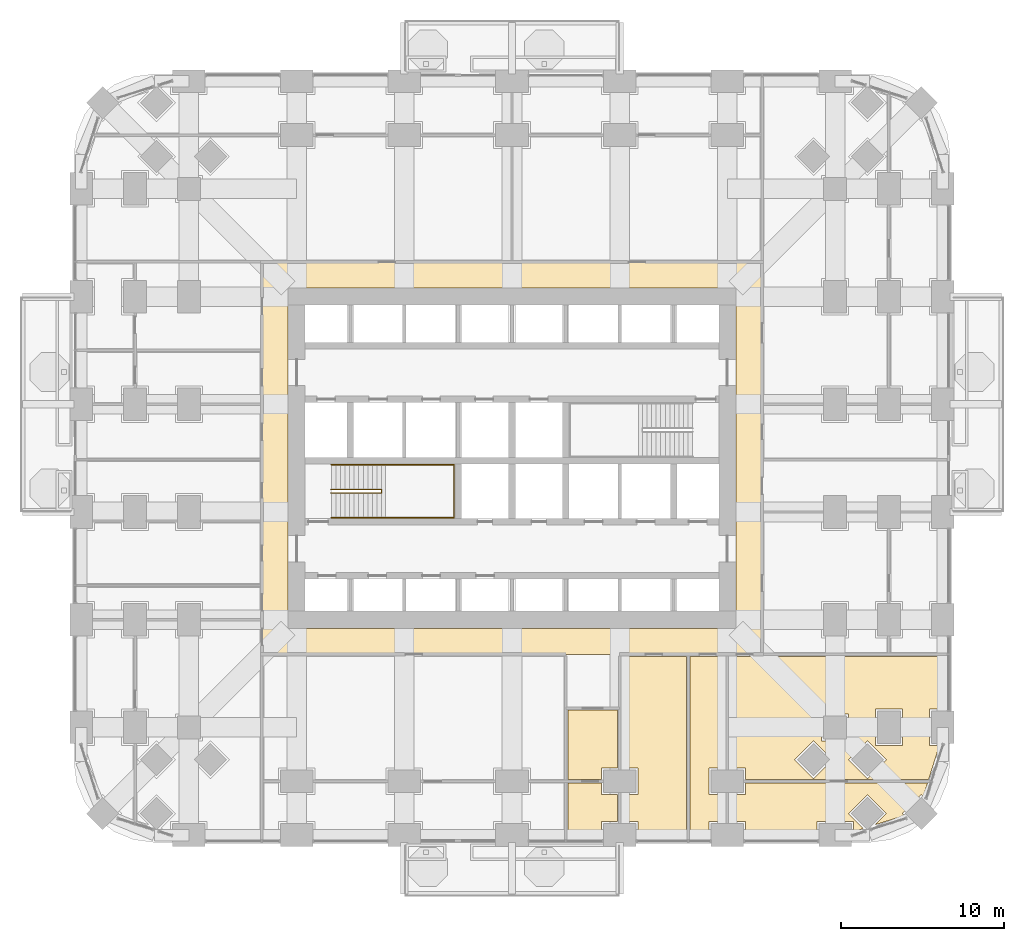
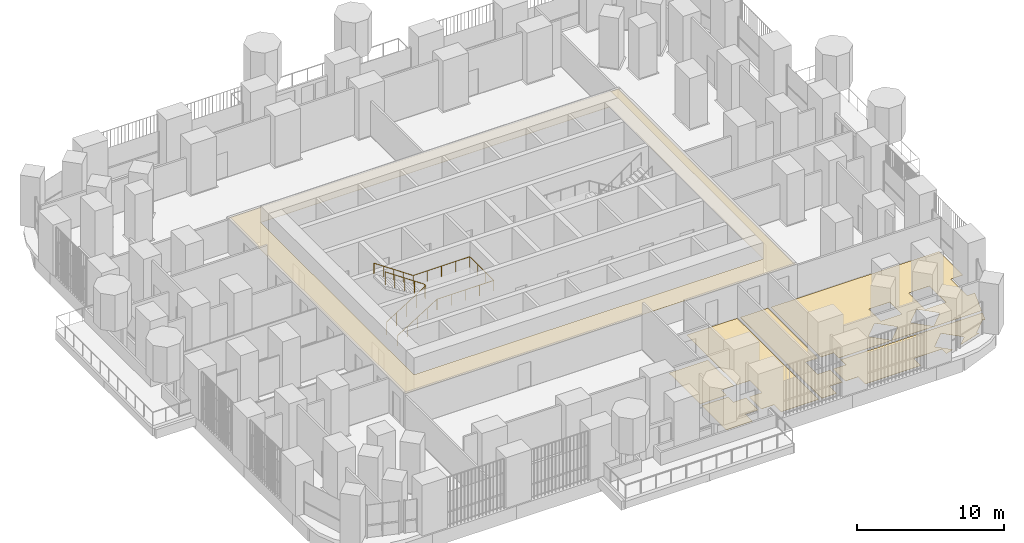
# One storey, part 21 of 24: 7 coverings, 2 railings.
"""IFC4 building model written with IfcOpenShell, lengths in metres."""

from ifc_helpers import new_model, si_unit, direction, frame, origin, place, context, subcontext, project, spatial, polyline, outline, extrude, material, layer, layer_set, type_object, element, save


model = new_model("IFC4")

# Units and contexts
model_context = context("Model", 3, precision=1e-05, world=origin(), true_north=direction((0.0, 1.0)))
body_context = subcontext(model_context, "Body", "Model", "MODEL_VIEW")
ifc_project = project(units=[si_unit("LENGTHUNIT", "METRE"), si_unit("AREAUNIT", "SQUARE_METRE"), si_unit("VOLUMEUNIT", "CUBIC_METRE"), si_unit("PLANEANGLEUNIT", "RADIAN"), si_unit("MASSUNIT", "GRAM", prefix="KILO")], contexts=[model_context])

# Site, building, storey
site_placement = place(None, origin())
site = spatial("IfcSite", under=ifc_project, at=site_placement, CompositionType="ELEMENT")
building_placement = place(site_placement, origin())
building = spatial("IfcBuilding", under=site, at=building_placement, Name="Cobogo Forest Laboratory Tower", CompositionType="ELEMENT")
storey_placement = place(building_placement, frame((0.0, 0.0, 17.10009765625)))
storey = spatial("IfcBuildingStorey", under=building, at=storey_placement, Name="L03", CompositionType="ELEMENT", Elevation=17.10009765625)

# Coverings
ifc_material_1 = material(Name="Mineral fibre ceiling tile", Category="ceiling")
ifc_layer_1 = layer(ifc_material_1, 0.02001953125)
ifc_layer_set_1 = layer_set([ifc_layer_1], Name="CL1 suspended ceiling")
covering_type_1 = type_object("IfcCoveringType", Name="CL1 suspended ceiling", PredefinedType="CEILING", material=ifc_layer_set_1)
covering_1_placement = place(storey_placement, frame((0.0, 0.0, 2.7998046875)))
element("IfcCovering", 1, at=covering_1_placement, inside=storey, type_object=covering_type_1, Name="Corridor ceiling L03", PredefinedType="CEILING", context=body_context, shape_type="SweptSolid", body=[
    extrude(outline(polyline([(11.074951171875, 11.074951171875), (11.074951171875, 35.125), (41.72509765625, 35.125), (41.72509765625, 11.074951171875), (11.074951171875, 11.074951171875)]), holes=[polyline([(40.125, 33.52490234375), (12.675048828125, 33.52490234375), (12.675048828125, 12.675048828125), (40.125, 12.675048828125), (40.125, 33.52490234375)])]), origin(), (0.0, 0.0, 1.0), 0.02001953125),
])
ifc_material_2 = material(Name="Carpet tile on raised access floor", Category="flooring")
ifc_layer_2 = layer(ifc_material_2, 0.008056640625)
ifc_layer_set_2 = layer_set([ifc_layer_2], Name="CT1 carpet tile floor 8")
covering_type_2 = type_object("IfcCoveringType", Name="CT1 carpet tile floor 8", PredefinedType="FLOORING", material=ifc_layer_set_2)
covering_2_placement = place(storey_placement, origin())
element("IfcCovering", 2, at=covering_2_placement, inside=storey, type_object=covering_type_2, Name="Carpet floor L03-04", PredefinedType="FLOORING", context=body_context, shape_type="SweptSolid", body=[
    extrude(outline(polyline([(31.8798828125, 3.179931640625), (31.8798828125, 2.47998046875), (32.8798828125, 2.47998046875), (32.8798828125, 0.820068359375), (31.8798828125, 0.820068359375), (31.8798828125, -0.14990234375), (29.820068359375, -0.14990234375), (29.820068359375, 3.179931640625), (31.8798828125, 3.179931640625)])), origin(), (0.0, 0.0, 1.0), 0.0078125),
])
covering_3_placement = place(storey_placement, origin())
element("IfcCovering", 3, at=covering_3_placement, inside=storey, type_object=covering_type_2, Name="Carpet floor L03-05", PredefinedType="FLOORING", context=body_context, shape_type="SweptSolid", body=[
    extrude(outline(polyline([(37.080078125, 10.955078125), (37.080078125, -0.14990234375), (34.1201171875, -0.14990234375), (34.1201171875, 0.820068359375), (33.1201171875, 0.820068359375), (33.1201171875, 2.47998046875), (34.1201171875, 2.47998046875), (34.1201171875, 4.1201171875), (33.1201171875, 4.1201171875), (33.1201171875, 10.955078125), (37.080078125, 10.955078125)])), origin(), (0.0, 0.0, 1.0), 0.0078125),
])
covering_4_placement = place(storey_placement, origin())
element("IfcCovering", 4, at=covering_4_placement, inside=storey, type_object=covering_type_2, Name="Carpet floor L03-08", PredefinedType="FLOORING", context=body_context, shape_type="SweptSolid", body=[
    extrude(outline(polyline([(51.8603515625, 3.179931640625), (51.600830078125, 2.358642578125), (51.48193359375, 2.477783203125), (50.322265625, 1.318115234375), (50.441162109375, 1.19921875), (48.660400390625, 0.63671875), (49.341552734375, 1.318115234375), (48.181884765625, 2.477783203125), (47.022216796875, 1.318115234375), (47.933349609375, 0.406982421875), (47.320068359375, 0.21337890625), (47.320068359375, 0.820068359375), (45.080078125, 0.820068359375), (45.080078125, -0.14990234375), (40.719970703125, -0.14990234375), (40.719970703125, 0.820068359375), (39.719970703125, 0.820068359375), (39.719970703125, 2.47998046875), (40.719970703125, 2.47998046875), (40.719970703125, 3.179931640625), (51.8603515625, 3.179931640625)])), origin(), (0.0, 0.0, 1.0), 0.0078125),
])

# Railings
ifc_material_3 = material(Name="Steel balustrade", Category="steel")
railing_type_1 = type_object("IfcRailingType", Name="GR stair guard 1100", PredefinedType="GUARDRAIL", material=ifc_material_3)
railing_1_placement = place(storey_placement, frame((15.324951171875, 20.969970703125, 0.1748046875)))
element("IfcRailing", 5, at=railing_1_placement, inside=storey, type_object=railing_type_1, Name="Stair guard ST1 L03", PredefinedType="GUARDRAIL", context=body_context, shape_type="SweptSolid", body=[
    extrude(outline(polyline([(0.022216796875, 0.00927734375), (0.00927734375, 0.022216796875), (-0.00927734375, 0.022216796875), (-0.022216796875, 0.00927734375), (-0.022216796875, -0.00927734375), (-0.00927734375, -0.022216796875), (0.00927734375, -0.022216796875), (0.022216796875, -0.00927734375), (0.022216796875, 0.00927734375)])), frame((0.0, 0.0, 1.077880859375), z_axis=(0.847998304005, 0.0, 0.529998940003), x_axis=(0.0, 1.0, 0.0)), (0.0, 0.0, 1.0), 3.632080078125),
    extrude(outline(polyline([(0.022216796875, 0.00927734375), (0.00927734375, 0.022216796875), (-0.00927734375, 0.022216796875), (-0.022216796875, 0.00927734375), (-0.022216796875, -0.00927734375), (-0.00927734375, -0.022216796875), (0.00927734375, -0.022216796875), (0.022216796875, -0.00927734375), (0.022216796875, 0.00927734375)])), frame((3.080078125, 0.0, 3.0029296875), z_axis=(0.0, 1.0, 0.0), x_axis=(-1.0, 0.0, 0.0)), (0.0, 0.0, 1.0), 0.2099609375),
    extrude(outline(polyline([(0.022216796875, 0.00927734375), (0.00927734375, 0.022216796875), (-0.00927734375, 0.022216796875), (-0.022216796875, 0.00927734375), (-0.022216796875, -0.00927734375), (-0.00927734375, -0.022216796875), (0.00927734375, -0.022216796875), (0.022216796875, -0.00927734375), (0.022216796875, 0.00927734375)])), frame((3.080078125, 0.2099609375, 3.0029296875), z_axis=(-0.826221800596, 0.0, 0.563344953133), x_axis=(0.0, -1.0, 0.0)), (0.0, 0.0, 1.0), 3.72802734375),
    extrude(outline(polyline([(0.019287109375, 0.008056640625), (0.008056640625, 0.019287109375), (-0.008056640625, 0.019287109375), (-0.019287109375, 0.008056640625), (-0.019287109375, -0.008056640625), (-0.008056640625, -0.019287109375), (0.008056640625, -0.019287109375), (0.019287109375, -0.008056640625), (0.019287109375, 0.008056640625)])), origin(), (0.0, 0.0, 1.0), 1.077880859375),
    extrude(outline(polyline([(0.019287109375, 0.008056640625), (0.008056640625, 0.019287109375), (-0.008056640625, 0.019287109375), (-0.019287109375, 0.008056640625), (-0.019287109375, -0.008056640625), (-0.008056640625, -0.019287109375), (0.008056640625, -0.019287109375), (0.019287109375, -0.008056640625), (0.019287109375, 0.008056640625)])), frame((0.77001953125, 0.0, 0.481201171875)), (0.0, 0.0, 1.0), 1.077880859375),
    extrude(outline(polyline([(0.019287109375, 0.008056640625), (0.008056640625, 0.019287109375), (-0.008056640625, 0.019287109375), (-0.019287109375, 0.008056640625), (-0.019287109375, -0.008056640625), (-0.008056640625, -0.019287109375), (0.008056640625, -0.019287109375), (0.019287109375, -0.008056640625), (0.019287109375, 0.008056640625)])), frame((1.5400390625, 0.0, 0.96240234375)), (0.0, 0.0, 1.0), 1.077880859375),
    extrude(outline(polyline([(0.019287109375, 0.008056640625), (0.008056640625, 0.019287109375), (-0.008056640625, 0.019287109375), (-0.019287109375, 0.008056640625), (-0.019287109375, -0.008056640625), (-0.008056640625, -0.019287109375), (0.008056640625, -0.019287109375), (0.019287109375, -0.008056640625), (0.019287109375, 0.008056640625)])), frame((2.31005859375, 0.0, 1.44384765625)), (0.0, 0.0, 1.0), 1.077880859375),
    extrude(outline(polyline([(0.019287109375, 0.008056640625), (0.008056640625, 0.019287109375), (-0.008056640625, 0.019287109375), (-0.019287109375, 0.008056640625), (-0.019287109375, -0.008056640625), (-0.008056640625, -0.019287109375), (0.008056640625, -0.019287109375), (0.019287109375, -0.008056640625), (0.019287109375, 0.008056640625)])), frame((3.080078125, 0.0, 1.925048828125)), (0.0, 0.0, 1.0), 1.077880859375),
    extrude(outline(polyline([(0.019287109375, 0.008056640625), (0.008056640625, 0.019287109375), (-0.008056640625, 0.019287109375), (-0.019287109375, 0.008056640625), (-0.019287109375, -0.008056640625), (-0.008056640625, -0.019287109375), (0.008056640625, -0.019287109375), (0.019287109375, -0.008056640625), (0.019287109375, 0.008056640625)])), frame((3.080078125, 0.2099609375, 1.925048828125)), (0.0, 0.0, 1.0), 1.077880859375),
    extrude(outline(polyline([(0.019287109375, 0.008056640625), (0.008056640625, 0.019287109375), (-0.008056640625, 0.019287109375), (-0.019287109375, 0.008056640625), (-0.019287109375, -0.008056640625), (-0.008056640625, -0.019287109375), (0.008056640625, -0.019287109375), (0.019287109375, -0.008056640625), (0.019287109375, 0.008056640625)])), frame((2.31005859375, 0.2099609375, 2.4501953125)), (0.0, 0.0, 1.0), 1.077880859375),
    extrude(outline(polyline([(0.019287109375, 0.008056640625), (0.008056640625, 0.019287109375), (-0.008056640625, 0.019287109375), (-0.019287109375, 0.008056640625), (-0.019287109375, -0.008056640625), (-0.008056640625, -0.019287109375), (0.008056640625, -0.019287109375), (0.019287109375, -0.008056640625), (0.019287109375, 0.008056640625)])), frame((1.5400390625, 0.2099609375, 2.97509765625)), (0.0, 0.0, 1.0), 1.077880859375),
    extrude(outline(polyline([(0.019287109375, 0.008056640625), (0.008056640625, 0.019287109375), (-0.008056640625, 0.019287109375), (-0.019287109375, 0.008056640625), (-0.019287109375, -0.008056640625), (-0.008056640625, -0.019287109375), (0.008056640625, -0.019287109375), (0.019287109375, -0.008056640625), (0.019287109375, 0.008056640625)])), frame((0.77001953125, 0.2099609375, 3.5)), (0.0, 0.0, 1.0), 1.077880859375),
    extrude(outline(polyline([(0.019287109375, 0.008056640625), (0.008056640625, 0.019287109375), (-0.008056640625, 0.019287109375), (-0.019287109375, 0.008056640625), (-0.019287109375, -0.008056640625), (-0.008056640625, -0.019287109375), (0.008056640625, -0.019287109375), (0.019287109375, -0.008056640625), (0.019287109375, 0.008056640625)])), frame((0.0, 0.2099609375, 4.025146484375)), (0.0, 0.0, 1.0), 1.077880859375),
])
ifc_material_4 = material(Name="Stainless steel handrail", Category="steel")
railing_type_2 = type_object("IfcRailingType", Name="HR handrail 900", PredefinedType="HANDRAIL", material=ifc_material_4)
railing_2_placement = place(storey_placement, frame((15.324951171875, 19.449951171875, 0.1748046875)))
element("IfcRailing", 6, at=railing_2_placement, inside=storey, type_object=railing_type_2, Name="Stair handrail ST1 L03", PredefinedType="HANDRAIL", context=body_context, shape_type="SweptSolid", body=[
    extrude(outline(polyline([(0.022216796875, 0.00927734375), (0.00927734375, 0.022216796875), (-0.00927734375, 0.022216796875), (-0.022216796875, 0.00927734375), (-0.022216796875, -0.00927734375), (-0.00927734375, -0.022216796875), (0.00927734375, -0.022216796875), (0.022216796875, -0.00927734375), (0.022216796875, 0.00927734375)])), frame((0.0, 0.0, 0.877685546875), z_axis=(0.847998304005, 0.0, 0.529998940003), x_axis=(0.0, 1.0, 0.0)), (0.0, 0.0, 1.0), 3.632080078125),
    extrude(outline(polyline([(0.022216796875, 0.00927734375), (0.00927734375, 0.022216796875), (-0.00927734375, 0.022216796875), (-0.022216796875, 0.00927734375), (-0.022216796875, -0.00927734375), (-0.00927734375, -0.022216796875), (0.00927734375, -0.022216796875), (0.022216796875, -0.00927734375), (0.022216796875, 0.00927734375)])), frame((3.080078125, 0.0, 2.802734375), z_axis=(1.0, 0.0, 0.0), x_axis=(0.0, 1.0, 0.0)), (0.0, 0.0, 1.0), 4.445068359375),
    extrude(outline(polyline([(0.022216796875, 0.00927734375), (0.00927734375, 0.022216796875), (-0.00927734375, 0.022216796875), (-0.022216796875, 0.00927734375), (-0.022216796875, -0.00927734375), (-0.00927734375, -0.022216796875), (0.00927734375, -0.022216796875), (0.022216796875, -0.00927734375), (0.022216796875, 0.00927734375)])), frame((7.525146484375, 0.0, 2.802734375), z_axis=(0.0, 1.0, 0.0), x_axis=(-1.0, 0.0, 0.0)), (0.0, 0.0, 1.0), 3.25),
    extrude(outline(polyline([(0.022216796875, 0.00927734375), (0.00927734375, 0.022216796875), (-0.00927734375, 0.022216796875), (-0.022216796875, 0.00927734375), (-0.022216796875, -0.00927734375), (-0.00927734375, -0.022216796875), (0.00927734375, -0.022216796875), (0.022216796875, -0.00927734375), (0.022216796875, 0.00927734375)])), frame((7.525146484375, 3.25, 2.802734375), z_axis=(-1.0, 0.0, 0.0), x_axis=(0.0, -1.0, 0.0)), (0.0, 0.0, 1.0), 4.445068359375),
    extrude(outline(polyline([(0.022216796875, 0.00927734375), (0.00927734375, 0.022216796875), (-0.00927734375, 0.022216796875), (-0.022216796875, 0.00927734375), (-0.022216796875, -0.00927734375), (-0.00927734375, -0.022216796875), (0.00927734375, -0.022216796875), (0.022216796875, -0.00927734375), (0.022216796875, 0.00927734375)])), frame((3.080078125, 3.25, 2.802734375), z_axis=(-0.826221800596, 0.0, 0.563344953133), x_axis=(0.0, -1.0, 0.0)), (0.0, 0.0, 1.0), 3.72802734375),
    extrude(outline(polyline([(0.019287109375, 0.008056640625), (0.008056640625, 0.019287109375), (-0.008056640625, 0.019287109375), (-0.019287109375, 0.008056640625), (-0.019287109375, -0.008056640625), (-0.008056640625, -0.019287109375), (0.008056640625, -0.019287109375), (0.019287109375, -0.008056640625), (0.019287109375, 0.008056640625)])), origin(), (0.0, 0.0, 1.0), 0.877685546875),
    extrude(outline(polyline([(0.019287109375, 0.008056640625), (0.008056640625, 0.019287109375), (-0.008056640625, 0.019287109375), (-0.019287109375, 0.008056640625), (-0.019287109375, -0.008056640625), (-0.008056640625, -0.019287109375), (0.008056640625, -0.019287109375), (0.019287109375, -0.008056640625), (0.019287109375, 0.008056640625)])), frame((0.77001953125, 0.0, 0.481201171875)), (0.0, 0.0, 1.0), 0.877685546875),
    extrude(outline(polyline([(0.019287109375, 0.008056640625), (0.008056640625, 0.019287109375), (-0.008056640625, 0.019287109375), (-0.019287109375, 0.008056640625), (-0.019287109375, -0.008056640625), (-0.008056640625, -0.019287109375), (0.008056640625, -0.019287109375), (0.019287109375, -0.008056640625), (0.019287109375, 0.008056640625)])), frame((1.5400390625, 0.0, 0.96240234375)), (0.0, 0.0, 1.0), 0.877685546875),
    extrude(outline(polyline([(0.019287109375, 0.008056640625), (0.008056640625, 0.019287109375), (-0.008056640625, 0.019287109375), (-0.019287109375, 0.008056640625), (-0.019287109375, -0.008056640625), (-0.008056640625, -0.019287109375), (0.008056640625, -0.019287109375), (0.019287109375, -0.008056640625), (0.019287109375, 0.008056640625)])), frame((2.31005859375, 0.0, 1.44384765625)), (0.0, 0.0, 1.0), 0.877685546875),
    extrude(outline(polyline([(0.019287109375, 0.008056640625), (0.008056640625, 0.019287109375), (-0.008056640625, 0.019287109375), (-0.019287109375, 0.008056640625), (-0.019287109375, -0.008056640625), (-0.008056640625, -0.019287109375), (0.008056640625, -0.019287109375), (0.019287109375, -0.008056640625), (0.019287109375, 0.008056640625)])), frame((3.080078125, 0.0, 1.925048828125)), (0.0, 0.0, 1.0), 0.877685546875),
    extrude(outline(polyline([(0.019287109375, 0.008056640625), (0.008056640625, 0.019287109375), (-0.008056640625, 0.019287109375), (-0.019287109375, 0.008056640625), (-0.019287109375, -0.008056640625), (-0.008056640625, -0.019287109375), (0.008056640625, -0.019287109375), (0.019287109375, -0.008056640625), (0.019287109375, 0.008056640625)])), frame((4.19140625, 0.0, 1.925048828125)), (0.0, 0.0, 1.0), 0.877685546875),
    extrude(outline(polyline([(0.019287109375, 0.008056640625), (0.008056640625, 0.019287109375), (-0.008056640625, 0.019287109375), (-0.019287109375, 0.008056640625), (-0.019287109375, -0.008056640625), (-0.008056640625, -0.019287109375), (0.008056640625, -0.019287109375), (0.019287109375, -0.008056640625), (0.019287109375, 0.008056640625)])), frame((5.302734375, 0.0, 1.925048828125)), (0.0, 0.0, 1.0), 0.877685546875),
    extrude(outline(polyline([(0.019287109375, 0.008056640625), (0.008056640625, 0.019287109375), (-0.008056640625, 0.019287109375), (-0.019287109375, 0.008056640625), (-0.019287109375, -0.008056640625), (-0.008056640625, -0.019287109375), (0.008056640625, -0.019287109375), (0.019287109375, -0.008056640625), (0.019287109375, 0.008056640625)])), frame((6.413818359375, 0.0, 1.925048828125)), (0.0, 0.0, 1.0), 0.877685546875),
    extrude(outline(polyline([(0.019287109375, 0.008056640625), (0.008056640625, 0.019287109375), (-0.008056640625, 0.019287109375), (-0.019287109375, 0.008056640625), (-0.019287109375, -0.008056640625), (-0.008056640625, -0.019287109375), (0.008056640625, -0.019287109375), (0.019287109375, -0.008056640625), (0.019287109375, 0.008056640625)])), frame((7.525146484375, 0.0, 1.925048828125)), (0.0, 0.0, 1.0), 0.877685546875),
    extrude(outline(polyline([(0.019287109375, 0.008056640625), (0.008056640625, 0.019287109375), (-0.008056640625, 0.019287109375), (-0.019287109375, 0.008056640625), (-0.019287109375, -0.008056640625), (-0.008056640625, -0.019287109375), (0.008056640625, -0.019287109375), (0.019287109375, -0.008056640625), (0.019287109375, 0.008056640625)])), frame((7.525146484375, 1.083251953125, 1.925048828125)), (0.0, 0.0, 1.0), 0.877685546875),
    extrude(outline(polyline([(0.019287109375, 0.008056640625), (0.008056640625, 0.019287109375), (-0.008056640625, 0.019287109375), (-0.019287109375, 0.008056640625), (-0.019287109375, -0.008056640625), (-0.008056640625, -0.019287109375), (0.008056640625, -0.019287109375), (0.019287109375, -0.008056640625), (0.019287109375, 0.008056640625)])), frame((7.525146484375, 2.166748046875, 1.925048828125)), (0.0, 0.0, 1.0), 0.877685546875),
    extrude(outline(polyline([(0.019287109375, 0.008056640625), (0.008056640625, 0.019287109375), (-0.008056640625, 0.019287109375), (-0.019287109375, 0.008056640625), (-0.019287109375, -0.008056640625), (-0.008056640625, -0.019287109375), (0.008056640625, -0.019287109375), (0.019287109375, -0.008056640625), (0.019287109375, 0.008056640625)])), frame((7.525146484375, 3.25, 1.925048828125)), (0.0, 0.0, 1.0), 0.877685546875),
    extrude(outline(polyline([(0.019287109375, 0.008056640625), (0.008056640625, 0.019287109375), (-0.008056640625, 0.019287109375), (-0.019287109375, 0.008056640625), (-0.019287109375, -0.008056640625), (-0.008056640625, -0.019287109375), (0.008056640625, -0.019287109375), (0.019287109375, -0.008056640625), (0.019287109375, 0.008056640625)])), frame((6.413818359375, 3.25, 1.925048828125)), (0.0, 0.0, 1.0), 0.877685546875),
    extrude(outline(polyline([(0.019287109375, 0.008056640625), (0.008056640625, 0.019287109375), (-0.008056640625, 0.019287109375), (-0.019287109375, 0.008056640625), (-0.019287109375, -0.008056640625), (-0.008056640625, -0.019287109375), (0.008056640625, -0.019287109375), (0.019287109375, -0.008056640625), (0.019287109375, 0.008056640625)])), frame((5.302734375, 3.25, 1.925048828125)), (0.0, 0.0, 1.0), 0.877685546875),
    extrude(outline(polyline([(0.019287109375, 0.008056640625), (0.008056640625, 0.019287109375), (-0.008056640625, 0.019287109375), (-0.019287109375, 0.008056640625), (-0.019287109375, -0.008056640625), (-0.008056640625, -0.019287109375), (0.008056640625, -0.019287109375), (0.019287109375, -0.008056640625), (0.019287109375, 0.008056640625)])), frame((4.19140625, 3.25, 1.925048828125)), (0.0, 0.0, 1.0), 0.877685546875),
    extrude(outline(polyline([(0.019287109375, 0.008056640625), (0.008056640625, 0.019287109375), (-0.008056640625, 0.019287109375), (-0.019287109375, 0.008056640625), (-0.019287109375, -0.008056640625), (-0.008056640625, -0.019287109375), (0.008056640625, -0.019287109375), (0.019287109375, -0.008056640625), (0.019287109375, 0.008056640625)])), frame((3.080078125, 3.25, 1.925048828125)), (0.0, 0.0, 1.0), 0.877685546875),
    extrude(outline(polyline([(0.019287109375, 0.008056640625), (0.008056640625, 0.019287109375), (-0.008056640625, 0.019287109375), (-0.019287109375, 0.008056640625), (-0.019287109375, -0.008056640625), (-0.008056640625, -0.019287109375), (0.008056640625, -0.019287109375), (0.019287109375, -0.008056640625), (0.019287109375, 0.008056640625)])), frame((2.31005859375, 3.25, 2.4501953125)), (0.0, 0.0, 1.0), 0.877685546875),
    extrude(outline(polyline([(0.019287109375, 0.008056640625), (0.008056640625, 0.019287109375), (-0.008056640625, 0.019287109375), (-0.019287109375, 0.008056640625), (-0.019287109375, -0.008056640625), (-0.008056640625, -0.019287109375), (0.008056640625, -0.019287109375), (0.019287109375, -0.008056640625), (0.019287109375, 0.008056640625)])), frame((1.5400390625, 3.25, 2.97509765625)), (0.0, 0.0, 1.0), 0.877685546875),
    extrude(outline(polyline([(0.019287109375, 0.008056640625), (0.008056640625, 0.019287109375), (-0.008056640625, 0.019287109375), (-0.019287109375, 0.008056640625), (-0.019287109375, -0.008056640625), (-0.008056640625, -0.019287109375), (0.008056640625, -0.019287109375), (0.019287109375, -0.008056640625), (0.019287109375, 0.008056640625)])), frame((0.77001953125, 3.25, 3.5)), (0.0, 0.0, 1.0), 0.877685546875),
    extrude(outline(polyline([(0.019287109375, 0.008056640625), (0.008056640625, 0.019287109375), (-0.008056640625, 0.019287109375), (-0.019287109375, 0.008056640625), (-0.019287109375, -0.008056640625), (-0.008056640625, -0.019287109375), (0.008056640625, -0.019287109375), (0.019287109375, -0.008056640625), (0.019287109375, 0.008056640625)])), frame((0.0, 3.25, 4.025146484375)), (0.0, 0.0, 1.0), 0.877685546875),
])

# Coverings
ifc_material_5 = material(Name="Epoxy resin flooring", Category="flooring")
ifc_layer_3 = layer(ifc_material_5, 0.00390625)
ifc_layer_set_3 = layer_set([ifc_layer_3], Name="LF1 epoxy laboratory floor 4")
covering_type_3 = type_object("IfcCoveringType", Name="LF1 epoxy laboratory floor 4", PredefinedType="FLOORING", material=ifc_layer_set_3)
covering_5_placement = place(storey_placement, origin())
element("IfcCovering", 7, at=covering_5_placement, inside=storey, type_object=covering_type_3, Name="Epoxy laboratory floor L03-03", PredefinedType="FLOORING", context=body_context, shape_type="SweptSolid", body=[
    extrude(outline(polyline([(29.820068359375, 7.655029296875), (32.8798828125, 7.655029296875), (32.8798828125, 4.1201171875), (31.8798828125, 4.1201171875), (31.8798828125, 3.419921875), (29.820068359375, 3.419921875), (29.820068359375, 7.655029296875)])), origin(), (0.0, 0.0, 1.0), 0.00390625),
])
covering_6_placement = place(storey_placement, origin())
element("IfcCovering", 8, at=covering_6_placement, inside=storey, type_object=covering_type_3, Name="Epoxy laboratory floor L03-07", PredefinedType="FLOORING", context=body_context, shape_type="SweptSolid", body=[
    extrude(outline(polyline([(39.719970703125, 10.955078125), (52.949951171875, 10.955078125), (52.949951171875, 7.719970703125), (51.97998046875, 7.719970703125), (51.97998046875, 5.47998046875), (52.586669921875, 5.47998046875), (51.93603515625, 3.419921875), (40.719970703125, 3.419921875), (40.719970703125, 4.1201171875), (39.719970703125, 4.1201171875), (39.719970703125, 10.955078125)]), holes=[polyline([(48.679931640625, 5.47998046875), (50.320068359375, 5.47998046875), (50.320068359375, 7.719970703125), (48.679931640625, 7.719970703125), (48.679931640625, 5.47998046875)]), polyline([(48.181884765625, 5.777587890625), (47.022216796875, 4.617919921875), (48.181884765625, 3.458251953125), (49.341552734375, 4.617919921875), (48.181884765625, 5.777587890625)]), polyline([(45.3798828125, 7.419921875), (45.3798828125, 5.780029296875), (47.02001953125, 5.780029296875), (47.02001953125, 7.419921875), (45.3798828125, 7.419921875)]), polyline([(44.882080078125, 5.777587890625), (43.722412109375, 4.617919921875), (44.882080078125, 3.458251953125), (46.041748046875, 4.617919921875), (44.882080078125, 5.777587890625)])]), origin(), (0.0, 0.0, 1.0), 0.00390625),
])
ifc_material_6 = material(Name="Ceramic floor tile", Category="flooring")
ifc_layer_4 = layer(ifc_material_6, 0.010009765625)
ifc_layer_set_4 = layer_set([ifc_layer_4], Name="TF1 ceramic tile floor 10")
covering_type_4 = type_object("IfcCoveringType", Name="TF1 ceramic tile floor 10", PredefinedType="FLOORING", material=ifc_layer_set_4)
covering_7_placement = place(storey_placement, origin())
element("IfcCovering", 9, at=covering_7_placement, inside=storey, type_object=covering_type_4, Name="Tile floor L03-06", PredefinedType="FLOORING", context=body_context, shape_type="SweptSolid", body=[
    extrude(outline(polyline([(39.47998046875, 10.955078125), (39.47998046875, 4.1201171875), (38.47998046875, 4.1201171875), (38.47998046875, 2.47998046875), (39.47998046875, 2.47998046875), (39.47998046875, 0.820068359375), (38.47998046875, 0.820068359375), (38.47998046875, -0.14990234375), (37.320068359375, -0.14990234375), (37.320068359375, 10.955078125), (39.47998046875, 10.955078125)])), origin(), (0.0, 0.0, 1.0), 0.010009765625),
])

save(model, "model.ifc")
